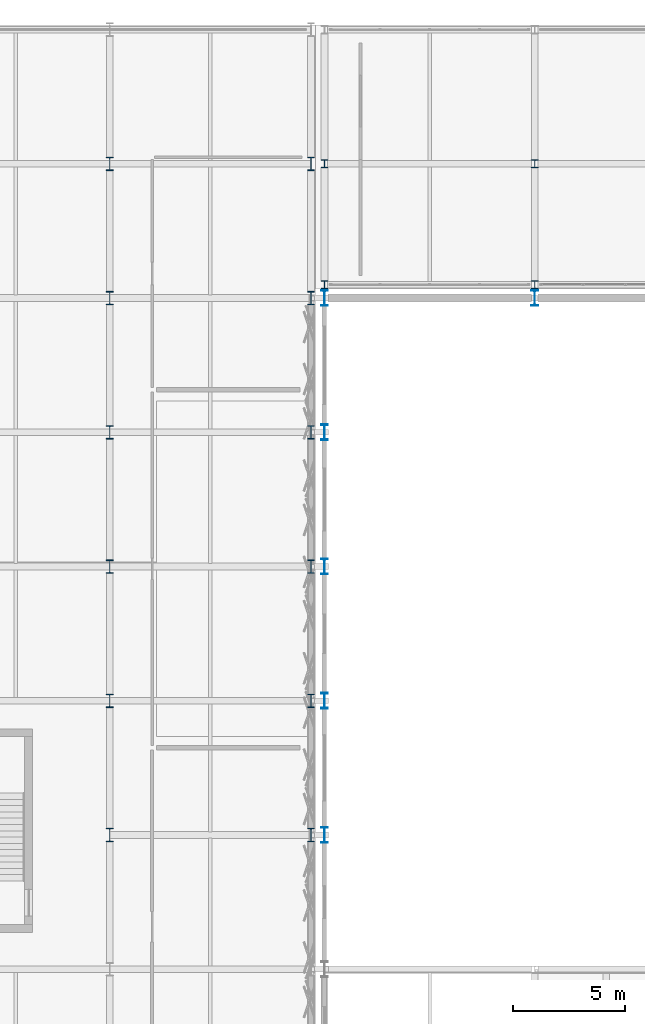
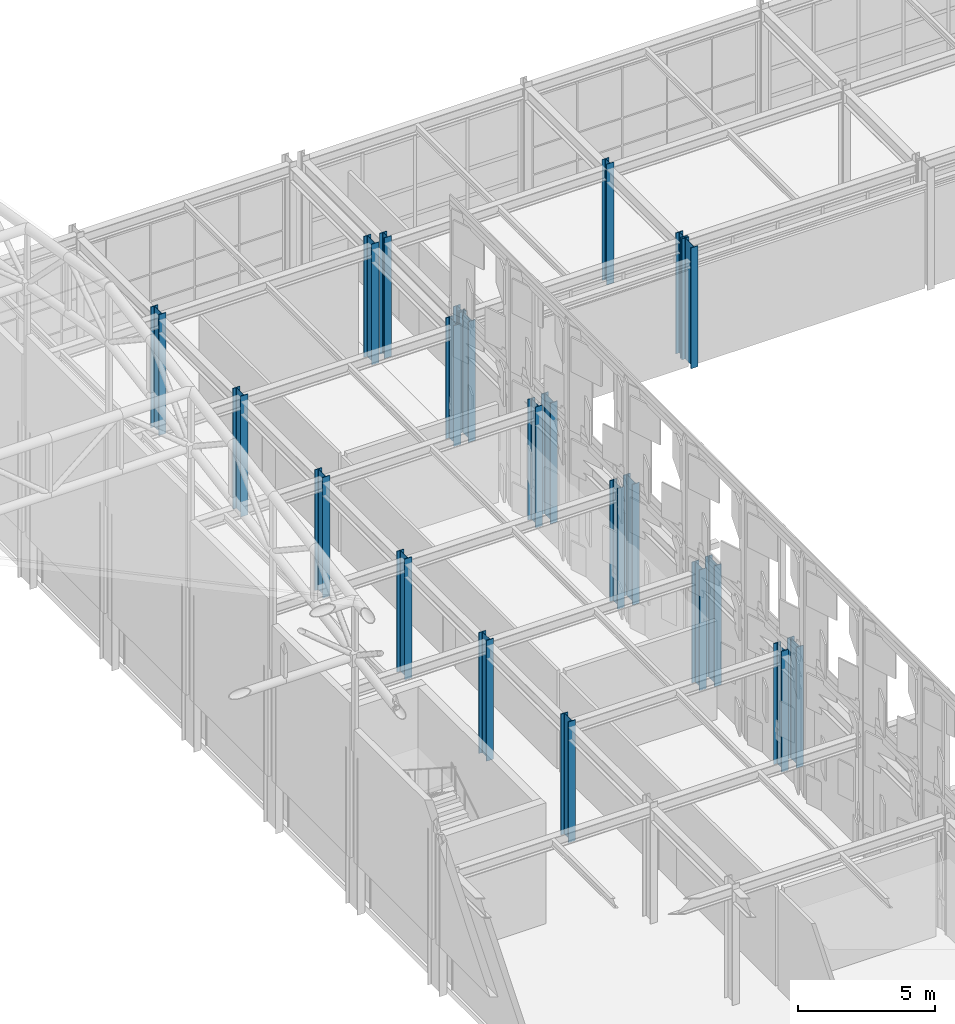
# One storey, part 20 of 239: 22 columns.
"""IFC4 building model written with IfcOpenShell, lengths in metres."""

from ifc_helpers import new_model, si_unit, direction, frame, origin, origin_2d, place, context, subcontext, project, spatial, i_section, extrude, material, material_profile, profile_set, type_object, element, save


model = new_model("IFC4")

# Units and contexts
model_context = context("Model", 3, precision=1e-05, world=origin(), true_north=direction((0.0, 1.0)))
body_context = subcontext(model_context, "Body", "Model", "MODEL_VIEW")
ifc_project = project(units=[si_unit("LENGTHUNIT", "METRE"), si_unit("AREAUNIT", "SQUARE_METRE"), si_unit("VOLUMEUNIT", "CUBIC_METRE"), si_unit("PLANEANGLEUNIT", "RADIAN"), si_unit("MASSUNIT", "GRAM", prefix="KILO")], contexts=[model_context])

# Site, building, storey
site_placement = place(None, origin())
site = spatial("IfcSite", under=ifc_project, at=site_placement, CompositionType="ELEMENT")
building_placement = place(site_placement, origin())
building = spatial("IfcBuilding", under=site, at=building_placement, Name="Kaldris Quays Convention Centre", CompositionType="ELEMENT")
storey_placement = place(building_placement, frame((0.0, 0.0, 11.39990234375)))
storey = spatial("IfcBuildingStorey", under=building, at=storey_placement, Name="L02", CompositionType="ELEMENT", Elevation=11.39990234375)

# Columns
ifc_material = material(Name="Steel S355J2", Category="steel")
ifc_material_profile_1 = material_profile(ifc_material, i_section(OverallWidth=0.300048828125, OverallDepth=0.699951171875, WebThickness=0.01708984375, FlangeThickness=0.031982421875, FilletRadius=0.027099609375, at=origin_2d()), Name="HEB 700")
ifc_profile_set_1 = profile_set([ifc_material_profile_1], Name="Steel S355J2")
column_type_1 = type_object("IfcColumnType", Name="STRUCTURAL COLUMN CL05", PredefinedType="COLUMN", material=ifc_profile_set_1)
for number, where, z_axis, x_axis, name in (
    (1, (164.60009765625, 80.0, 0.0), (0.0, 0.0, 1.0), (1.0, 0.0, 0.0), "L02 V2 Column CL05 (164.60, 80.00)"),
    (2, (164.60009765625, 86.0, 0.0), (0.0, 0.0, 1.0), (1.0, 0.0, 0.0), "L02 V2 Column CL05 (164.60, 86.00)"),
    (3, (164.60009765625, 92.0, 0.0), (0.0, 0.0, 1.0), (1.0, 0.0, 0.0), "L02 V2 Column CL05 (164.60, 92.00)"),
    (4, (164.60009765625, 98.0, 0.0), (0.0, 0.0, 1.0), (1.0, 0.0, 0.0), "L02 V2 Column CL05 (164.60, 98.00)"),
    (5, (164.60009765625, 104.0, 0.0), (0.0, 0.0, 1.0), (1.0, 0.0, 0.0), "L02 V2 Column CL05 (164.60, 104.00)"),
    (6, (174.0, 104.0, 0.0), (0.0, 0.0, 1.0), (1.0, 0.0, 0.0), "L02 V2 Column CL05 (174.00, 104.00)"),
):
    element("IfcColumn", number, at=place(storey_placement, frame(where, z_axis=z_axis, x_axis=x_axis)), inside=storey, type_object=column_type_1, Name=name, PredefinedType="COLUMN", context=body_context, shape_type="SweptSolid", body=[
        extrude(i_section(OverallWidth=0.300048828125, OverallDepth=0.699951171875, WebThickness=0.01708984375, FlangeThickness=0.031982421875, FilletRadius=0.027099609375, at=origin_2d()), origin(), (0.0, 0.0, 1.0), 5.400146484375),
    ])
ifc_material_profile_2 = material_profile(ifc_material, i_section(OverallWidth=0.300048828125, OverallDepth=0.60009765625, WebThickness=0.015380859375, FlangeThickness=0.030029296875, FilletRadius=0.027099609375, at=origin_2d()), Name="HEB 600")
ifc_profile_set_2 = profile_set([ifc_material_profile_2], Name="Steel S355J2")
column_type_2 = type_object("IfcColumnType", Name="STRUCTURAL COLUMN CL06", PredefinedType="COLUMN", material=ifc_profile_set_2)
for number, where, z_axis, x_axis, name in (
    (7, (155.0, 80.0, 0.0), (0.0, 0.0, 1.0), (1.0, 0.0, 0.0), "L02 V4 Column CL06 (155.00, 80.00)"),
    (8, (155.0, 86.0, 0.0), (0.0, 0.0, 1.0), (1.0, 0.0, 0.0), "L02 V4 Column CL06 (155.00, 86.00)"),
    (9, (155.0, 92.0, 0.0), (0.0, 0.0, 1.0), (1.0, 0.0, 0.0), "L02 V4 Column CL06 (155.00, 92.00)"),
    (10, (155.0, 98.0, 0.0), (0.0, 0.0, 1.0), (1.0, 0.0, 0.0), "L02 V4 Column CL06 (155.00, 98.00)"),
    (11, (155.0, 104.0, 0.0), (0.0, 0.0, 1.0), (1.0, 0.0, 0.0), "L02 V4 Column CL06 (155.00, 104.00)"),
    (12, (155.0, 110.0, 0.0), (0.0, 0.0, 1.0), (1.0, 0.0, 0.0), "L02 V4 Column CL06 (155.00, 110.00)"),
    (13, (164.0, 80.0, 0.0), (0.0, 0.0, 1.0), (1.0, 0.0, 0.0), "L02 V4 Column CL06 (164.00, 80.00)"),
    (14, (164.0, 86.0, 0.0), (0.0, 0.0, 1.0), (1.0, 0.0, 0.0), "L02 V4 Column CL06 (164.00, 86.00)"),
    (15, (164.0, 92.0, 0.0), (0.0, 0.0, 1.0), (1.0, 0.0, 0.0), "L02 V4 Column CL06 (164.00, 92.00)"),
    (16, (164.0, 98.0, 0.0), (0.0, 0.0, 1.0), (1.0, 0.0, 0.0), "L02 V4 Column CL06 (164.00, 98.00)"),
    (17, (164.0, 104.0, 0.0), (0.0, 0.0, 1.0), (1.0, 0.0, 0.0), "L02 V4 Column CL06 (164.00, 104.00)"),
    (18, (164.0, 110.0, 0.0), (0.0, 0.0, 1.0), (1.0, 0.0, 0.0), "L02 V4 Column CL06 (164.00, 110.00)"),
):
    element("IfcColumn", number, at=place(storey_placement, frame(where, z_axis=z_axis, x_axis=x_axis)), inside=storey, type_object=column_type_2, Name=name, PredefinedType="COLUMN", context=body_context, shape_type="SweptSolid", body=[
        extrude(i_section(OverallWidth=0.300048828125, OverallDepth=0.60009765625, WebThickness=0.015380859375, FlangeThickness=0.030029296875, FilletRadius=0.027099609375, at=origin_2d()), origin(), (0.0, 0.0, 1.0), 5.400146484375),
    ])
ifc_material_profile_3 = material_profile(ifc_material, i_section(OverallWidth=0.300048828125, OverallDepth=0.360107421875, WebThickness=0.012451171875, FlangeThickness=0.0224609375, FilletRadius=0.027099609375, at=origin_2d()), Name="HEB 360")
ifc_profile_set_3 = profile_set([ifc_material_profile_3], Name="Steel S355J2")
column_type_3 = type_object("IfcColumnType", Name="STRUCTURAL COLUMN CL10", PredefinedType="COLUMN", material=ifc_profile_set_3)
for number, where, z_axis, x_axis, name in (
    (19, (164.60009765625, 104.60009765625, 0.0), (0.0, 0.0, 1.0), (1.0, 0.0, 0.0), "L02 V4 Column CL10 (164.60, 104.60)"),
    (20, (164.60009765625, 110.0, 0.0), (0.0, 0.0, 1.0), (1.0, 0.0, 0.0), "L02 V4 Column CL10 (164.60, 110.00)"),
    (21, (174.0, 104.60009765625, 0.0), (0.0, 0.0, 1.0), (1.0, 0.0, 0.0), "L02 V4 Column CL10 (174.00, 104.60)"),
    (22, (174.0, 110.0, 0.0), (0.0, 0.0, 1.0), (1.0, 0.0, 0.0), "L02 V4 Column CL10 (174.00, 110.00)"),
):
    element("IfcColumn", number, at=place(storey_placement, frame(where, z_axis=z_axis, x_axis=x_axis)), inside=storey, type_object=column_type_3, Name=name, PredefinedType="COLUMN", context=body_context, shape_type="SweptSolid", body=[
        extrude(i_section(OverallWidth=0.300048828125, OverallDepth=0.360107421875, WebThickness=0.012451171875, FlangeThickness=0.0224609375, FilletRadius=0.027099609375, at=origin_2d()), origin(), (0.0, 0.0, 1.0), 5.400146484375),
    ])

save(model, "model.ifc")
